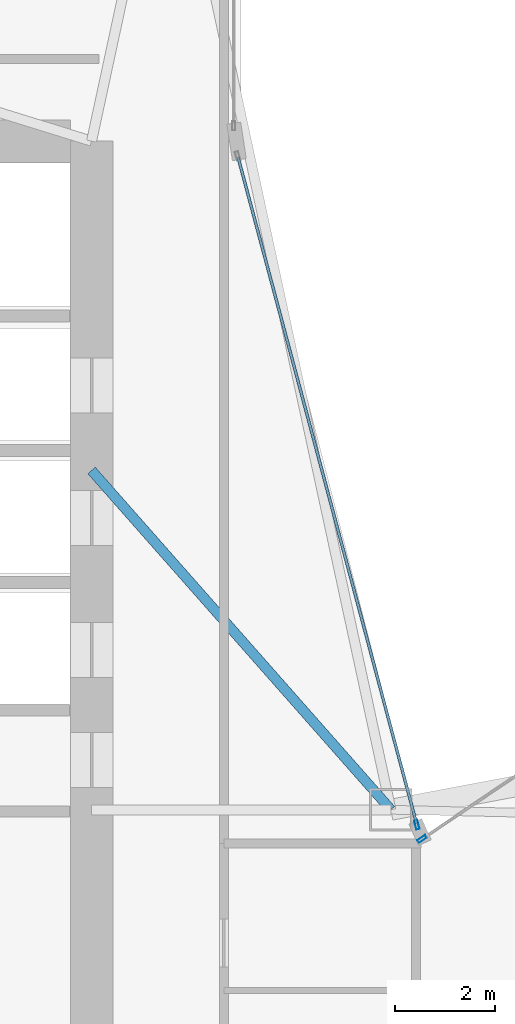
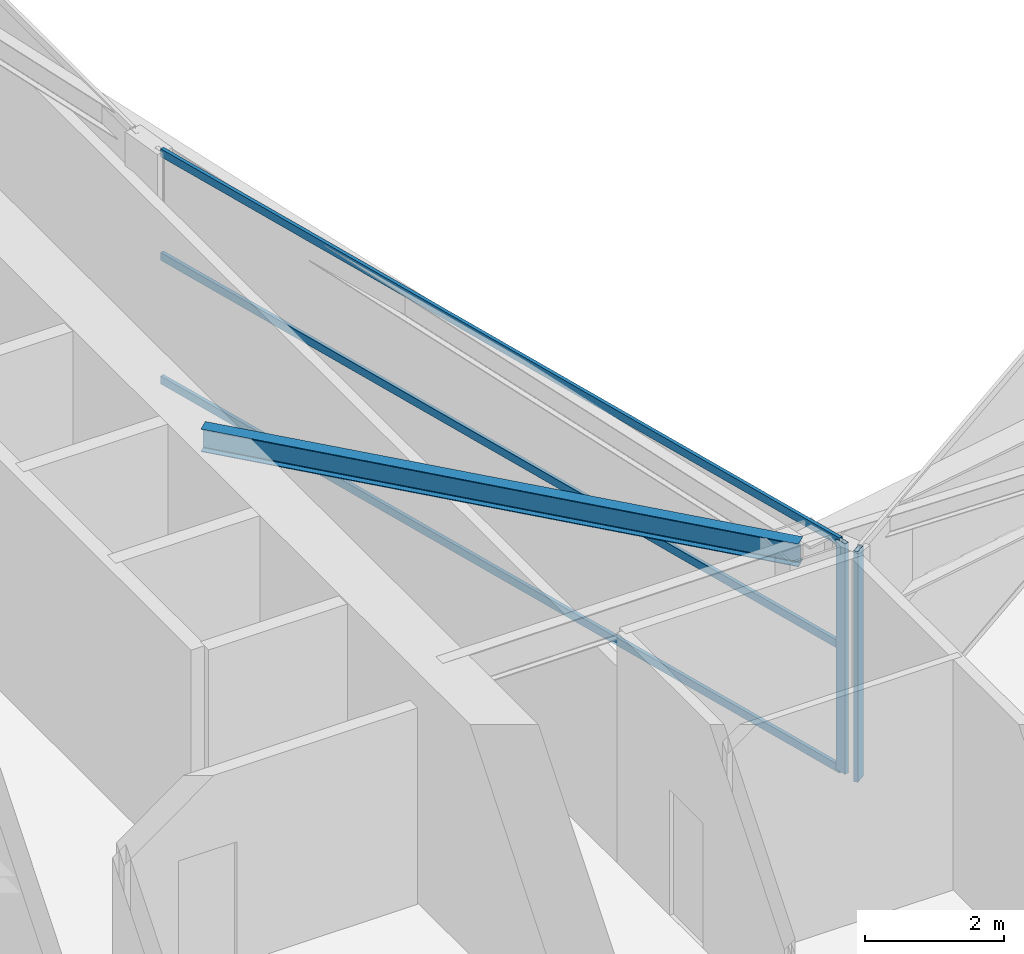
# One storey, part 11 of 30: 5 members, 1 beam, 2 elements without a shape of their own.
"""IFC4 building model written with IfcOpenShell, lengths in metres."""

from ifc_helpers import new_model, si_unit, direction, frame, origin, origin_2d, place, context, subcontext, project, spatial, hollow_rectangle, i_section, extrude, material, layer, layer_set, material_profile, profile_set, type_object, element, aggregate, save


model = new_model("IFC4")

# Units and contexts
model_context = context("Model", 3, precision=1e-05, world=origin(), true_north=direction((0.0, 1.0)))
body_context = subcontext(model_context, "Body", "Model", "MODEL_VIEW")
ifc_project = project(units=[si_unit("LENGTHUNIT", "METRE"), si_unit("AREAUNIT", "SQUARE_METRE"), si_unit("VOLUMEUNIT", "CUBIC_METRE"), si_unit("PLANEANGLEUNIT", "RADIAN"), si_unit("MASSUNIT", "GRAM", prefix="KILO")], contexts=[model_context])

# Site, building, storey
site_placement = place(None, origin())
site = spatial("IfcSite", under=ifc_project, at=site_placement, CompositionType="ELEMENT")
building_placement = place(site_placement, origin())
building = spatial("IfcBuilding", under=site, at=building_placement, Name="Calvorn Quay Hotel", CompositionType="ELEMENT")
storey_placement = place(building_placement, frame((0.0, 0.0, 195.10009765625)))
storey = spatial("IfcBuildingStorey", under=building, at=storey_placement, Name="L48", CompositionType="ELEMENT", Elevation=195.10009765625)

# Beam
ifc_material_1 = material(Name="Steel Q355B", Category="steel")
ifc_material_profile_1 = material_profile(ifc_material_1, i_section(OverallWidth=0.199951171875, OverallDepth=0.39990234375, WebThickness=0.008056640625, FlangeThickness=0.012939453125, FilletRadius=0.01611328125, at=origin_2d()), Name="HN400x200x8x13")
ifc_profile_set_1 = profile_set([ifc_material_profile_1], Name="Steel Q355B")
beam_type = type_object("IfcBeamType", Name="BM-JOIST-TYP", PredefinedType="JOIST", material=ifc_profile_set_1)
beam_placement = place(storey_placement, frame((15.0, 31.800048828125, 3.849853515625), z_axis=(0.661618965899, -0.749840212287, 0.0), x_axis=(0.749840212287, 0.661618965899, 0.0)))
element("IfcBeam", 1, at=beam_placement, inside=storey, type_object=beam_type, Name="Beam BJ-L48-C1", PredefinedType="JOIST", context=body_context, shape_type="SweptSolid", body=[
    extrude(i_section(OverallWidth=0.199951171875, OverallDepth=0.39990234375, WebThickness=0.008056640625, FlangeThickness=0.012939453125, FilletRadius=0.01611328125, at=origin_2d()), origin(), (0.0, 0.0, 1.0), 9.068603515625),
])

# Curtain wall, member
ifc_material_2 = material(Name="Champagne Bronze Anodised Aluminium and Low-E Glass", Category="aluminium")
ifc_layer = layer(ifc_material_2, 0.219970703125)
ifc_layer_set = layer_set([ifc_layer], Name="CW-SYS-Z3")
curtain_wall_type = type_object("IfcCurtainWallType", Name="CW-SYS-Z3", PredefinedType="NOTDEFINED", material=ifc_layer_set)
curtain_wall_1_placement = place(storey_placement, origin())
curtain_wall_1 = element("IfcCurtainWall", 2, at=curtain_wall_1_placement, inside=storey, type_object=curtain_wall_type, Name="Inner Court Curtain Wall L48-NE1", PredefinedType="NOTDEFINED")
ifc_material_3 = material(Name="Champagne Bronze Anodised Aluminium 6063-T6", Category="aluminium")
ifc_material_profile_2 = material_profile(ifc_material_3, hollow_rectangle(XDim=0.068115234375, YDim=0.18505859375, WallThickness=0.00390625, at=origin_2d()), Name="ALU-M185x68x4")
ifc_profile_set_2 = profile_set([ifc_material_profile_2], Name="Champagne Bronze Anodised Aluminium 6063-T6")
member_type_1 = type_object("IfcMemberType", Name="CW-SYS-Z3-MUL", PredefinedType="MULLION", material=ifc_profile_set_2)
member_1_placement = place(storey_placement, frame((21.625, 24.416748046875, 0.0), z_axis=(0.0, 0.0, 1.0), x_axis=(0.558485062395, -0.82951457798, 0.0)))
member_1 = element("IfcMember", 3, at=member_1_placement, type_object=member_type_1, Name="CW-L48-NE1 mullion 3", PredefinedType="MULLION", context=body_context, shape_type="SweptSolid", body=[
    extrude(hollow_rectangle(XDim=0.068115234375, YDim=0.18505859375, WallThickness=0.00390625, at=origin_2d()), origin(), (0.0, 0.0, 1.0), 4.0498046875),
])
aggregate(curtain_wall_1, [member_1])

# Curtain wall, members
curtain_wall_2_placement = place(storey_placement, origin())
curtain_wall_2 = element("IfcCurtainWall", 4, at=curtain_wall_2_placement, inside=storey, type_object=curtain_wall_type, Name="Inner Court Curtain Wall L48-IC1", PredefinedType="NOTDEFINED")
member_2_placement = place(storey_placement, frame((21.520263671875, 24.698974609375, 0.0), z_axis=(0.0, 0.0, 1.0), x_axis=(-0.96593652056, -0.25877913024, 0.0)))
member_2 = element("IfcMember", 5, at=member_2_placement, type_object=member_type_1, Name="CW-L48-IC1 mullion 1", PredefinedType="MULLION", context=body_context, shape_type="SweptSolid", body=[
    extrude(hollow_rectangle(XDim=0.068115234375, YDim=0.18505859375, WallThickness=0.00390625, at=origin_2d()), origin(), (0.0, 0.0, 1.0), 4.0498046875),
])
ifc_material_4 = material(Name="Champagne Bronze Anodised Aluminium 6063-T6", Category="aluminium")
ifc_material_profile_3 = material_profile(ifc_material_4, hollow_rectangle(XDim=0.05810546875, YDim=0.139892578125, WallThickness=0.003173828125, at=origin_2d()), Name="ALU-T140x58x3.2")
ifc_profile_set_3 = profile_set([ifc_material_profile_3], Name="Champagne Bronze Anodised Aluminium 6063-T6")
member_type_2 = type_object("IfcMemberType", Name="CW-SYS-Z3-TRN", PredefinedType="USERDEFINED", material=ifc_profile_set_3)
member_3_placement = place(storey_placement, frame((21.512451171875, 24.72802734375, 0.02978515625), z_axis=(-0.258781136883, 0.965935982969, 0.0), x_axis=(-0.965935982969, -0.258781136883, 0.0)))
member_3 = element("IfcMember", 6, at=member_3_placement, type_object=member_type_2, Name="CW-L48-IC1 transom 1.1", ObjectType="TRANSOM", PredefinedType="USERDEFINED", context=body_context, shape_type="SweptSolid", body=[
    extrude(hollow_rectangle(XDim=0.05810546875, YDim=0.139892578125, WallThickness=0.003173828125, at=origin_2d()), origin(), (0.0, 0.0, 1.0), 13.814453125),
])
member_4_placement = place(storey_placement, frame((21.512451171875, 24.72802734375, 2.199951171875), z_axis=(-0.258781136883, 0.965935982969, 0.0), x_axis=(-0.965935982969, -0.258781136883, 0.0)))
member_4 = element("IfcMember", 7, at=member_4_placement, type_object=member_type_2, Name="CW-L48-IC1 transom 1.2", ObjectType="TRANSOM", PredefinedType="USERDEFINED", context=body_context, shape_type="SweptSolid", body=[
    extrude(hollow_rectangle(XDim=0.05810546875, YDim=0.139892578125, WallThickness=0.003173828125, at=origin_2d()), origin(), (0.0, 0.0, 1.0), 13.814453125),
])
member_5_placement = place(storey_placement, frame((21.512451171875, 24.72802734375, 4.02001953125), z_axis=(-0.258781136883, 0.965935982969, 0.0), x_axis=(-0.965935982969, -0.258781136883, 0.0)))
member_5 = element("IfcMember", 8, at=member_5_placement, type_object=member_type_2, Name="CW-L48-IC1 transom 1.3", ObjectType="TRANSOM", PredefinedType="USERDEFINED", context=body_context, shape_type="SweptSolid", body=[
    extrude(hollow_rectangle(XDim=0.05810546875, YDim=0.139892578125, WallThickness=0.003173828125, at=origin_2d()), origin(), (0.0, 0.0, 1.0), 13.814453125),
])
aggregate(curtain_wall_2, [member_2, member_3, member_4, member_5])

save(model, "model.ifc")
